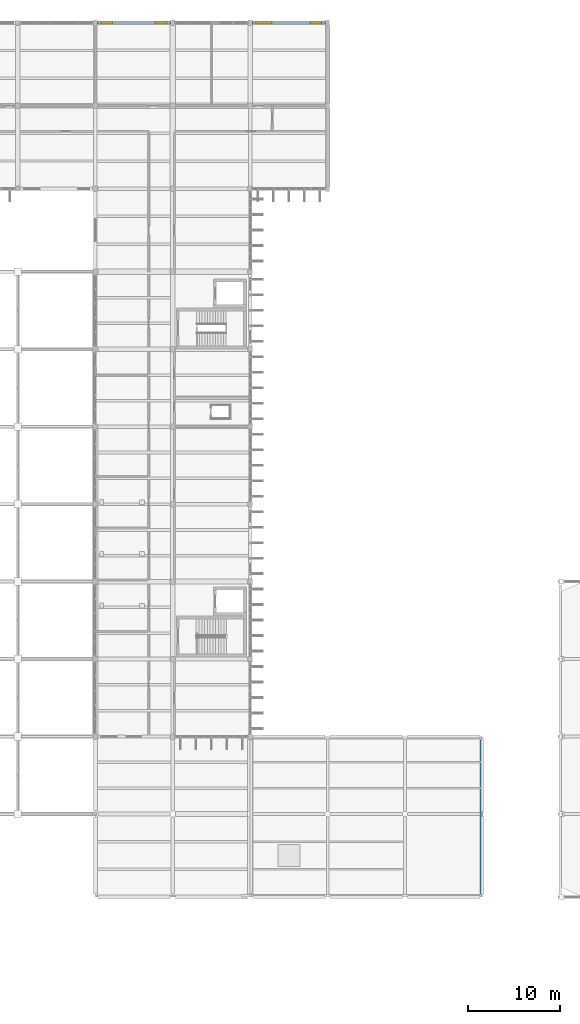
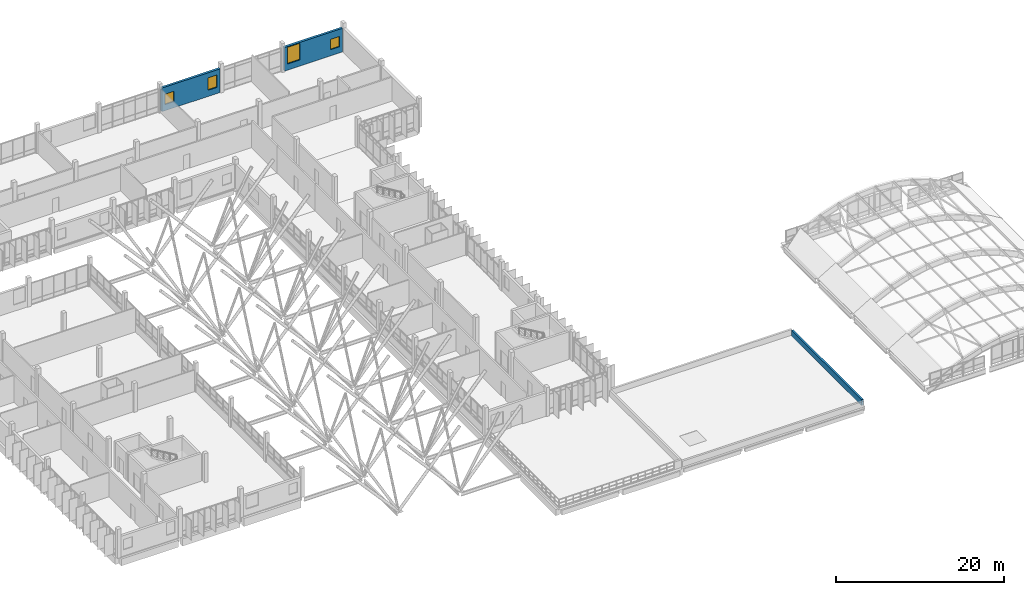
# One storey, part 97 of 107: 4 windows, 3 walls, 4 openings.
"""IFC4 building model written with IfcOpenShell, lengths in metres."""

from ifc_helpers import new_model, si_unit, direction, frame, frame_2d, origin, place, context, subcontext, project, spatial, rectangle, extrude, material, layer, layer_set, type_object, element, fill, save


model = new_model("IFC4")

# Units and contexts
model_context = context("Model", 3, precision=1e-05, world=origin(), true_north=direction((0.0, 1.0)))
body_context = subcontext(model_context, "Body", "Model", "MODEL_VIEW")
ifc_project = project(units=[si_unit("LENGTHUNIT", "METRE"), si_unit("AREAUNIT", "SQUARE_METRE"), si_unit("VOLUMEUNIT", "CUBIC_METRE"), si_unit("PLANEANGLEUNIT", "RADIAN"), si_unit("MASSUNIT", "GRAM", prefix="KILO")], contexts=[model_context])

# Site, building, storey
site_placement = place(None, origin())
site = spatial("IfcSite", under=ifc_project, at=site_placement, CompositionType="ELEMENT")
building_placement = place(site_placement, origin())
building = spatial("IfcBuilding", under=site, at=building_placement, Name="Vireocrest Preparatory School", CompositionType="ELEMENT")
storey_placement = place(building_placement, frame((0.0, 0.0, 13.199951171875)))
storey = spatial("IfcBuildingStorey", under=building, at=storey_placement, Name="L03", CompositionType="ELEMENT", Elevation=13.199951171875)

# Wall, openings, windows
ifc_material_1 = material(Name="Precast white concrete 40 MPa", Category="concrete")
ifc_layer_1 = layer(ifc_material_1, 0.320068359375)
ifc_layer_set_1 = layer_set([ifc_layer_1], Name="Precast white concrete 40 MPa")
wall_type_1 = type_object("IfcWallType", Name="High-Tech Insulated Rainscreen External Wall 320", PredefinedType="SOLIDWALL", material=ifc_layer_set_1)
wall_1_placement = place(storey_placement, frame((92.60009765625, 112.800048828125, 0.0), z_axis=(0.0, 0.0, 1.0), x_axis=(1.0, 0.0, 0.0)))
wall_1 = element("IfcWall", 1, at=wall_1_placement, inside=storey, type_object=wall_type_1, Name="External Wall W12 EW_L03_0329", PredefinedType="SOLIDWALL", context=body_context, shape_type="SweptSolid", body=[
    extrude(rectangle(XDim=8.0, YDim=0.320068359375, at=frame_2d((4.0, 0.0))), origin(), (0.0, 0.0, 1.0), 3.429931640625),
])
opening_1_placement = place(wall_1_placement, frame((0.449951171875, 0.0, 0.89990234375)))
opening_1 = element("IfcOpeningElement", 2, at=opening_1_placement, cuts=wall_1, Name="Opening WN01", PredefinedType="OPENING", context=body_context, shape_type="SweptSolid", body=[
    extrude(rectangle(XDim=1.199951171875, YDim=1.5, at=frame_2d((0.60009765625, 0.75))), frame((0.0, 0.169921875, 0.0), z_axis=(0.0, -1.0, 0.0), x_axis=(1.0, 0.0, 0.0)), (0.0, 0.0, 1.0), 0.340087890625),
])
opening_2_placement = place(wall_1_placement, frame((6.35009765625, 0.0, 0.89990234375)))
opening_2 = element("IfcOpeningElement", 3, at=opening_2_placement, cuts=wall_1, Name="Opening WN02", PredefinedType="OPENING", context=body_context, shape_type="SweptSolid", body=[
    extrude(rectangle(XDim=1.199951171875, YDim=1.800048828125, at=frame_2d((0.60009765625, 0.89990234375))), frame((0.0, 0.169921875, 0.0), z_axis=(0.0, -1.0, 0.0), x_axis=(1.0, 0.0, 0.0)), (0.0, 0.0, 1.0), 0.340087890625),
])
ifc_material_2 = material(Name="Thermally broken aluminium EN AW-6063-T6", Category="aluminium")
window_type_1 = type_object("IfcWindowType", Name="Counseling Window 1200x1800", PartitioningType="SINGLE_PANEL", PredefinedType="WINDOW", material=ifc_material_2)
window_1_placement = place(opening_2_placement, origin())
window_1 = element("IfcWindow", 4, at=window_1_placement, inside=storey, type_object=window_type_1, Name="Window W-L03-163 (WN02)", OverallHeight=1.800048828125, OverallWidth=1.199951171875, PartitioningType="SINGLE_PANEL", PredefinedType="WINDOW", context=body_context, shape_type="SweptSolid", body=[
    extrude(rectangle(XDim=1.199951171875, YDim=1.800048828125, at=frame_2d((0.60009765625, 0.89990234375))), frame((0.0, 0.030029296875, 0.0), z_axis=(0.0, -1.0, 0.0), x_axis=(1.0, 0.0, 0.0)), (0.0, 0.0, 1.0), 0.06005859375),
])
fill(opening_2, window_1)
window_type_2 = type_object("IfcWindowType", Name="Office Punched Window 1200x1500", PartitioningType="SINGLE_PANEL", PredefinedType="WINDOW", material=ifc_material_2)
window_2_placement = place(opening_1_placement, origin())
window_2 = element("IfcWindow", 5, at=window_2_placement, inside=storey, type_object=window_type_2, Name="Window W-L03-162 (WN01)", OverallHeight=1.5, OverallWidth=1.199951171875, PartitioningType="SINGLE_PANEL", PredefinedType="WINDOW", context=body_context, shape_type="SweptSolid", body=[
    extrude(rectangle(XDim=1.199951171875, YDim=1.5, at=frame_2d((0.60009765625, 0.75))), frame((0.0, 0.030029296875, 0.0), z_axis=(0.0, -1.0, 0.0), x_axis=(1.0, 0.0, 0.0)), (0.0, 0.0, 1.0), 0.06005859375),
])
fill(opening_1, window_2)

wall_2_placement = place(storey_placement, frame((109.39990234375, 112.800048828125, 0.0), z_axis=(0.0, 0.0, 1.0), x_axis=(1.0, 0.0, 0.0)))
wall_2 = element("IfcWall", 6, at=wall_2_placement, inside=storey, type_object=wall_type_1, Name="External Wall W12 EW_L03_0331", PredefinedType="SOLIDWALL", context=body_context, shape_type="SweptSolid", body=[
    extrude(rectangle(XDim=8.0, YDim=0.320068359375, at=frame_2d((4.0, 0.0))), origin(), (0.0, 0.0, 1.0), 3.429931640625),
])
opening_3_placement = place(wall_2_placement, frame((0.449951171875, 0.0, 0.89990234375)))
opening_3 = element("IfcOpeningElement", 7, at=opening_3_placement, cuts=wall_2, Name="Opening WN07", PredefinedType="OPENING", context=body_context, shape_type="SweptSolid", body=[
    extrude(rectangle(XDim=1.679931640625, YDim=2.39990234375, at=frame_2d((0.83984375, 1.199951171875))), frame((0.0, 0.169921875, 0.0), z_axis=(0.0, -1.0, 0.0), x_axis=(1.0, 0.0, 0.0)), (0.0, 0.0, 1.0), 0.340087890625),
])
opening_4_placement = place(wall_2_placement, frame((6.35009765625, 0.0, 0.89990234375)))
opening_4 = element("IfcOpeningElement", 8, at=opening_4_placement, cuts=wall_2, Name="Opening WN01", PredefinedType="OPENING", context=body_context, shape_type="SweptSolid", body=[
    extrude(rectangle(XDim=1.199951171875, YDim=1.5, at=frame_2d((0.60009765625, 0.75))), frame((0.0, 0.169921875, 0.0), z_axis=(0.0, -1.0, 0.0), x_axis=(1.0, 0.0, 0.0)), (0.0, 0.0, 1.0), 0.340087890625),
])
window_type_3 = type_object("IfcWindowType", Name="Module Lab Window 1680x2400", PartitioningType="SINGLE_PANEL", PredefinedType="WINDOW", material=ifc_material_2)
window_3_placement = place(opening_3_placement, origin())
window_3 = element("IfcWindow", 9, at=window_3_placement, inside=storey, type_object=window_type_3, Name="Window W-L03-164 (WN07)", OverallHeight=2.39990234375, OverallWidth=1.679931640625, PartitioningType="SINGLE_PANEL", PredefinedType="WINDOW", context=body_context, shape_type="SweptSolid", body=[
    extrude(rectangle(XDim=1.679931640625, YDim=2.39990234375, at=frame_2d((0.83984375, 1.199951171875))), frame((0.0, 0.030029296875, 0.0), z_axis=(0.0, -1.0, 0.0), x_axis=(1.0, 0.0, 0.0)), (0.0, 0.0, 1.0), 0.06005859375),
])
fill(opening_3, window_3)
window_4_placement = place(opening_4_placement, origin())
window_4 = element("IfcWindow", 10, at=window_4_placement, inside=storey, type_object=window_type_2, Name="Window W-L03-165 (WN01)", OverallHeight=1.5, OverallWidth=1.199951171875, PartitioningType="SINGLE_PANEL", PredefinedType="WINDOW", context=body_context, shape_type="SweptSolid", body=[
    extrude(rectangle(XDim=1.199951171875, YDim=1.5, at=frame_2d((0.60009765625, 0.75))), frame((0.0, 0.030029296875, 0.0), z_axis=(0.0, -1.0, 0.0), x_axis=(1.0, 0.0, 0.0)), (0.0, 0.0, 1.0), 0.06005859375),
])
fill(opening_4, window_4)

# Wall
ifc_layer_2 = layer(ifc_material_1, 0.260009765625)
ifc_layer_set_2 = layer_set([ifc_layer_2], Name="Precast white concrete 40 MPa")
wall_type_2 = type_object("IfcWallType", Name="Insulated Roof Parapet Wall 260", PredefinedType="PARAPET", material=ifc_layer_set_2)
wall_3_placement = place(storey_placement, frame((134.27001953125, 18.389892578125, 0.0), z_axis=(0.0, 0.0, 1.0), x_axis=(0.0, 1.0, 0.0)))
element("IfcWall", 11, at=wall_3_placement, inside=storey, type_object=wall_type_2, Name="Roof Parapet W09 L03_EAST_STUDIO_ROOF-16", PredefinedType="PARAPET", context=body_context, shape_type="SweptSolid", body=[
    extrude(rectangle(XDim=16.6201171875, YDim=0.260009765625, at=frame_2d((8.31005859375, 0.0))), origin(), (0.0, 0.0, 1.0), 0.85009765625),
])

save(model, "model.ifc")
